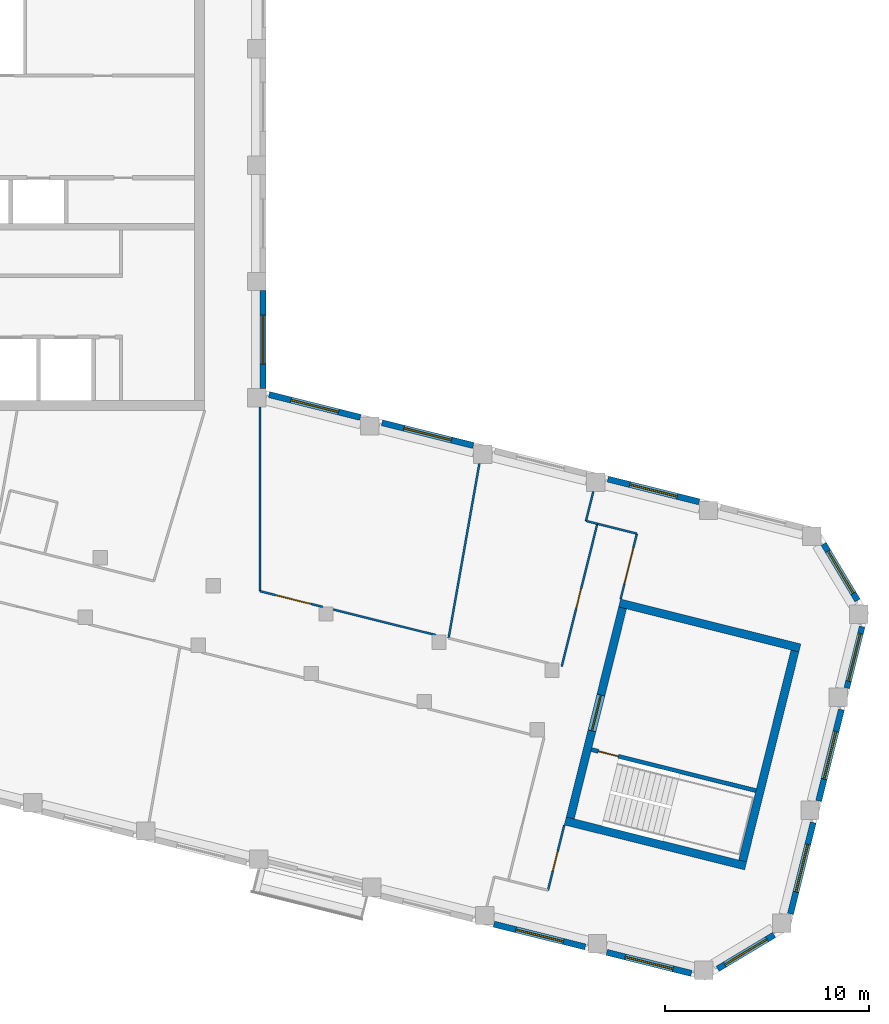
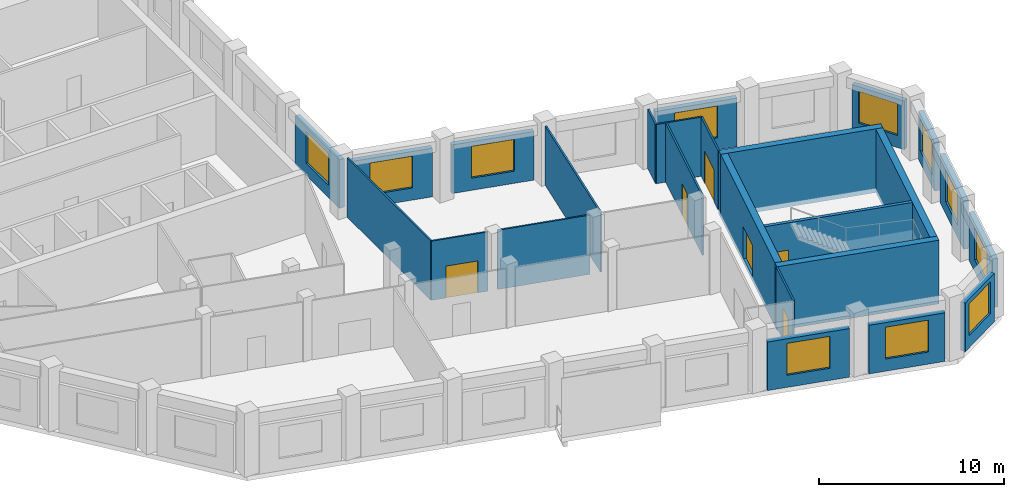
# One storey, part 4 of 8: 26 walls, 11 windows, 6 doors, 17 openings.
"""IFC4 building model written with IfcOpenShell, lengths in metres."""

import ifcopenshell
import ifcopenshell.guid

model = None  # the IFC model being written
_history = None  # IfcOwnerHistory: only IFC2X3 demands one
_inside = {}  # id of a spatial element -> (the spatial element, [elements in it])
_under = {}  # id of a project, library or spatial element -> (it, [spatial elements below it])
_declared = {}  # id of a project -> (the project, [libraries it declares])
_typed = {}  # id of a type object -> (the type object, [elements of that type])
_made_of = {}  # id of a material, layer set ... -> (it, [elements and type objects made of it])


def new_model(schema):
    """Start an empty IFC model of exactly this schema.

    Asked for "IFC4X3", IfcOpenShell would pick the latest addendum, in which some entities
    have other attributes; the version numbers below select the first issue.
    IFC2X3 requires an IfcOwnerHistory on every rooted entity: one is made here for all.
    """
    global model, _history
    if schema == "IFC4X3":
        model = ifcopenshell.file(schema_version=(4, 3, 0, 0))
    else:
        model = ifcopenshell.file(schema=schema)
    _inside.clear()
    _under.clear()
    _declared.clear()
    _typed.clear()
    _made_of.clear()
    _history = None
    if model.schema == "IFC2X3":
        org = make("IfcOrganization", Name="unknown")
        user = make(
            "IfcPersonAndOrganization",
            ThePerson=make("IfcPerson", FamilyName="unknown"),
            TheOrganization=org,
        )
        app = make(
            "IfcApplication",
            ApplicationDeveloper=org,
            Version="unknown",
            ApplicationFullName="unknown",
            ApplicationIdentifier="unknown",
        )
        _history = make(
            "IfcOwnerHistory",
            OwningUser=user,
            OwningApplication=app,
            ChangeAction="ADDED",
            CreationDate=0,
        )
    return model


def make(cls, **values):
    """One entity of the class cls with the attributes given. An attribute that is None is left unset."""
    return model.create_entity(
        cls, **{name: value for name, value in values.items() if value is not None}
    )


def rooted(cls, **values):
    """An entity with a GlobalId (a new one), such as an element, a storey or a relation."""
    return make(cls, GlobalId=ifcopenshell.guid.new(), OwnerHistory=_history, **values)


def si_unit(unit_type, name, prefix=None):
    """IfcSIUnit, for example si_unit("LENGTHUNIT", "METRE", prefix="MILLI")."""
    return make("IfcSIUnit", UnitType=unit_type, Prefix=prefix, Name=name)


def assignment(units):
    """IfcUnitAssignment: the units of a project."""
    return None if units is None else make("IfcUnitAssignment", Units=units)


def point(xyz):
    """IfcCartesianPoint."""
    return None if xyz is None else make("IfcCartesianPoint", Coordinates=xyz)


def direction(xyz):
    """IfcDirection."""
    return None if xyz is None else make("IfcDirection", DirectionRatios=xyz)


def frame(location, z_axis=None, x_axis=None):
    """IfcAxis2Placement3D, a coordinate frame: its origin and axes. An axis left out is left unset."""
    return make(
        "IfcAxis2Placement3D",
        Location=point(location),
        Axis=direction(z_axis),
        RefDirection=direction(x_axis),
    )


def frame_2d(location, x_axis=None):
    """IfcAxis2Placement2D, a coordinate frame in the plane: its origin and x axis."""
    return make(
        "IfcAxis2Placement2D", Location=point(location), RefDirection=direction(x_axis)
    )


def origin():
    """The frame at (0, 0, 0) with its axes left unset."""
    return frame((0.0, 0.0, 0.0))


def place(relative_to, where):
    """IfcLocalPlacement: puts the frame where relative to a parent placement (None: the world)."""
    return make(
        "IfcLocalPlacement", PlacementRelTo=relative_to, RelativePlacement=where
    )


def context(
    kind, dimensions, precision=None, world=None, true_north=None, identifier=None
):
    """IfcGeometricRepresentationContext, for example the 3D "Model" context."""
    return make(
        "IfcGeometricRepresentationContext",
        ContextIdentifier=identifier,
        ContextType=kind,
        CoordinateSpaceDimension=dimensions,
        Precision=precision,
        WorldCoordinateSystem=world,
        TrueNorth=true_north,
    )


def subcontext(parent, identifier, kind, view, scale=None):
    """IfcGeometricRepresentationSubContext, for example "Body" below "Model"."""
    return make(
        "IfcGeometricRepresentationSubContext",
        ContextIdentifier=identifier,
        ContextType=kind,
        ParentContext=parent,
        TargetScale=scale,
        TargetView=view,
    )


def project(units=None, contexts=None):
    """IfcProject with its units and contexts."""
    return rooted(
        "IfcProject",
        Name="project",
        RepresentationContexts=contexts,
        UnitsInContext=assignment(units),
    )


def spatial(cls, under=None, at=None, **own):
    """A site, building, storey or space (cls), placed at a placement, below another one or the project."""
    s = rooted(cls, ObjectPlacement=at, **own)
    if under is not None:
        _under.setdefault(under.id(), (under, []))[1].append(s)
    return s


def profile(cls, at=None, kind="AREA", **sizes):
    """A parametric profile (cls). Its sizes go by their IFC names, for example OverallWidth=200.0."""
    return make(cls, ProfileType=kind, Position=at, **sizes)


def rectangle(**sizes):
    """IfcRectangleProfileDef."""
    return profile("IfcRectangleProfileDef", **sizes)


def extrude(swept, where, along, depth):
    """IfcExtrudedAreaSolid: the profile swept, set in the frame where, extruded along a direction by depth."""
    return make(
        "IfcExtrudedAreaSolid",
        SweptArea=swept,
        Position=where,
        ExtrudedDirection=direction(along),
        Depth=depth,
    )


def shape(context_of_items, identifier, shape_type, items):
    """IfcShapeRepresentation: the items that make up one representation, for example the "Body"."""
    return make(
        "IfcShapeRepresentation",
        ContextOfItems=context_of_items,
        RepresentationIdentifier=identifier,
        RepresentationType=shape_type,
        Items=items,
    )


def material(Name=None, Category=None):
    """IfcMaterial."""
    return make("IfcMaterial", Name=Name, Category=Category)


def layer(
    of_material, thickness, ventilated=None, Name=None, Category=None, Priority=None
):
    """IfcMaterialLayer: one layer of a wall or slab, of a material (None: an air gap)."""
    return make(
        "IfcMaterialLayer",
        Material=of_material,
        LayerThickness=thickness,
        IsVentilated=ventilated,
        Name=Name,
        Category=Category,
        Priority=Priority,
    )


def layer_set(layers, Name=None):
    """IfcMaterialLayerSet."""
    return make("IfcMaterialLayerSet", MaterialLayers=layers, LayerSetName=Name)


def made_of(thing, what):
    """Note that an element or type object is made of a material, layer set ...; save() writes the relation."""
    if what is not None:
        _made_of.setdefault(what.id(), (what, []))[1].append(thing)
    return thing


def type_object(cls, material=None, **own):
    """A type object (cls), such as IfcWallType, which elements share."""
    return made_of(rooted(cls, **own), material)


def element(
    cls,
    number,
    at=None,
    inside=None,
    cuts=None,
    type_object=None,
    material=None,
    context=None,
    identifier="Body",
    shape_type=None,
    held_by="IfcProductDefinitionShape",
    body=None,
    shapes=None,
    **own,
):
    """One element of the class cls, such as IfcWall. Its Tag is "e" and its number.

    at: its placement. inside: the storey or other place that contains it. cuts: it is an
    opening in that element (IfcRelVoidsElement). A single representation is given by context,
    identifier, shape_type and body (its items); several are given by shapes. held_by: the class
    of the entity that holds the representations. save() writes the other relations.
    """
    e = rooted(cls, Tag="e%d" % number, ObjectPlacement=at, **own)
    if body is not None:
        shapes = [shape(context, identifier, shape_type, body)]
    if shapes is not None:
        e.Representation = make(held_by, Representations=shapes)
    if inside is not None:
        _inside.setdefault(inside.id(), (inside, []))[1].append(e)
    if cuts is not None:
        rooted(
            "IfcRelVoidsElement", RelatingBuildingElement=cuts, RelatedOpeningElement=e
        )
    if type_object is not None:
        _typed.setdefault(type_object.id(), (type_object, []))[1].append(e)
    return made_of(e, material)


def fill(opening, filler):
    """IfcRelFillsElement: the door or window that sits in an opening."""
    return rooted(
        "IfcRelFillsElement",
        RelatingOpeningElement=opening,
        RelatedBuildingElement=filler,
    )


def aggregate(whole, parts):
    """IfcRelAggregates: a whole, such as a stair, and the parts it consists of."""
    return rooted("IfcRelAggregates", RelatingObject=whole, RelatedObjects=parts)


def save(model, path):
    """Write the relations noted so far, then the file.

    IfcRelAggregates (storeys below a building ...), IfcRelContainedInSpatialStructure (elements
    in a storey), IfcRelDefinesByType, IfcRelAssociatesMaterial and IfcRelDeclares: one each for
    every whole, place, type object, material and project.
    """
    for whole, parts in _under.values():
        aggregate(whole, parts)
    for where, things in _inside.values():
        rooted(
            "IfcRelContainedInSpatialStructure",
            RelatedElements=things,
            RelatingStructure=where,
        )
    for kind, things in _typed.values():
        rooted("IfcRelDefinesByType", RelatedObjects=things, RelatingType=kind)
    for what, things in _made_of.values():
        rooted("IfcRelAssociatesMaterial", RelatedObjects=things, RelatingMaterial=what)
    for by, libraries in _declared.values():
        rooted("IfcRelDeclares", RelatingContext=by, RelatedDefinitions=libraries)
    model.write(path)


model = new_model("IFC4")

# Units and contexts
model_context = context("Model", 3, precision=1e-05, world=origin(), true_north=direction((0.0, 1.0)))
body_context = subcontext(model_context, "Body", "Model", "MODEL_VIEW")
ifc_project = project(units=[si_unit("LENGTHUNIT", "METRE"), si_unit("AREAUNIT", "SQUARE_METRE"), si_unit("VOLUMEUNIT", "CUBIC_METRE"), si_unit("PLANEANGLEUNIT", "RADIAN"), si_unit("MASSUNIT", "GRAM", prefix="KILO")], contexts=[model_context])

# Site, building, storey
site_placement = place(None, origin())
site = spatial("IfcSite", under=ifc_project, at=site_placement, CompositionType="ELEMENT")
building_placement = place(site_placement, origin())
building = spatial("IfcBuilding", under=site, at=building_placement, Name="Meshkara Civic Tower", CompositionType="ELEMENT")
storey_placement = place(building_placement, frame((0.0, 0.0, 379.199951171875)))
storey = spatial("IfcBuildingStorey", under=building, at=storey_placement, Name="L87", CompositionType="ELEMENT", Elevation=379.199951171875)

# Wall
ifc_material_1 = material(Name="Corridor wall 100")
ifc_layer_1 = layer(ifc_material_1, 0.10009765625)
ifc_layer_set_1 = layer_set([ifc_layer_1], Name="Corridor wall 100")
wall_type_1 = type_object("IfcWallType", Name="Corridor wall 100", PredefinedType="PARTITIONING", material=ifc_layer_set_1)
wall_1_placement = place(storey_placement, frame((33.5, 5.2509765625, 0.0), z_axis=(0.0, 0.0, 1.0), x_axis=(0.0, 1.0, 0.0)))
element("IfcWall", 1, at=wall_1_placement, inside=storey, type_object=wall_type_1, Name="L87-W024", PredefinedType="PARTITIONING", context=body_context, shape_type="SweptSolid", body=[
    extrude(rectangle(XDim=9.01806640625, YDim=0.10009765625, at=frame_2d((4.509033203125, 0.0))), origin(), (0.0, 0.0, 1.0), 3.900146484375),
])

# Wall, opening, door
wall_2_placement = place(storey_placement, frame((36.575927734375, 4.48388671875, 0.0), z_axis=(0.0, 0.0, 1.0), x_axis=(-0.970282772403, 0.24197384482, 0.0)))
wall_2 = element("IfcWall", 2, at=wall_2_placement, inside=storey, type_object=wall_type_1, Name="L87-W026", PredefinedType="PARTITIONING", context=body_context, shape_type="SweptSolid", body=[
    extrude(rectangle(XDim=3.170166015625, YDim=0.10009765625, at=frame_2d((1.5849609375, 0.0))), origin(), (0.0, 0.0, 1.0), 3.900146484375),
])
opening_1_placement = place(wall_2_placement, frame((0.580078125, 0.0, 0.0)))
opening_1 = element("IfcOpeningElement", 3, at=opening_1_placement, cuts=wall_2, Name="Opening L87-D006", PredefinedType="OPENING", context=body_context, shape_type="SweptSolid", body=[
    extrude(rectangle(XDim=1.800048828125, YDim=2.10009765625, at=frame_2d((0.89990234375, 1.050048828125))), frame((0.0, 0.06005859375, 0.0), z_axis=(0.0, -1.0, 0.0), x_axis=(1.0, 0.0, 0.0)), (0.0, 0.0, 1.0), 0.1201171875),
])
ifc_material_2 = material(Name="Door pair 1800 x 2100")
door_type_1 = type_object("IfcDoorType", Name="Door pair 1800 x 2100", OperationType="SINGLE_SWING_LEFT", PredefinedType="DOOR", material=ifc_material_2)
door_1_placement = place(opening_1_placement, origin())
door_1 = element("IfcDoor", 4, at=door_1_placement, inside=storey, type_object=door_type_1, Name="L87-D006", OperationType="DOUBLE_DOOR_SINGLE_SWING", OverallHeight=2.10009765625, OverallWidth=1.800048828125, PredefinedType="DOOR", context=body_context, shape_type="SweptSolid", body=[
    extrude(rectangle(XDim=1.800048828125, YDim=2.10009765625, at=frame_2d((0.89990234375, 1.050048828125))), frame((0.0, 0.02490234375, 0.0), z_axis=(0.0, -1.0, 0.0), x_axis=(1.0, 0.0, 0.0)), (0.0, 0.0, 1.0), 0.050048828125),
])
fill(opening_1, door_1)

# Wall
wall_3_placement = place(storey_placement, frame((42.10693359375, 3.10498046875, 0.0), z_axis=(0.0, 0.0, 1.0), x_axis=(-0.97031176359, 0.241857564363, 0.0)))
element("IfcWall", 5, at=wall_3_placement, inside=storey, type_object=wall_type_1, Name="L87-W028", PredefinedType="PARTITIONING", context=body_context, shape_type="SweptSolid", body=[
    extrude(rectangle(XDim=5.168212890625, YDim=0.10009765625, at=frame_2d((2.583984375, 0.0))), origin(), (0.0, 0.0, 1.0), 3.900146484375),
])

# Wall, opening, door
wall_4_placement = place(storey_placement, frame((47.611083984375, -9.39697265625, 0.0), z_axis=(0.0, 0.0, 1.0), x_axis=(0.241786986316, 0.970329352977, 0.0)))
wall_4 = element("IfcWall", 6, at=wall_4_placement, inside=storey, type_object=wall_type_1, Name="L87-W031", PredefinedType="PARTITIONING", context=body_context, shape_type="SweptSolid", body=[
    extrude(rectangle(XDim=3.2998046875, YDim=0.10009765625, at=frame_2d((1.64990234375, 0.0))), origin(), (0.0, 0.0, 1.0), 3.900146484375),
])
opening_2_placement = place(wall_4_placement, frame((0.97998046875, 0.0, 0.0)))
opening_2 = element("IfcOpeningElement", 7, at=opening_2_placement, cuts=wall_4, Name="Opening L87-D001", PredefinedType="OPENING", context=body_context, shape_type="SweptSolid", body=[
    extrude(rectangle(XDim=1.0, YDim=2.10009765625, at=frame_2d((0.5, 1.050048828125))), frame((0.0, 0.06005859375, 0.0), z_axis=(0.0, -1.0, 0.0), x_axis=(1.0, 0.0, 0.0)), (0.0, 0.0, 1.0), 0.1201171875),
])
ifc_material_3 = material(Name="Door 1000 x 2100")
door_type_2 = type_object("IfcDoorType", Name="Door 1000 x 2100", OperationType="SINGLE_SWING_LEFT", PredefinedType="DOOR", material=ifc_material_3)
door_2_placement = place(opening_2_placement, origin())
door_2 = element("IfcDoor", 8, at=door_2_placement, inside=storey, type_object=door_type_2, Name="L87-D001", OperationType="SINGLE_SWING_RIGHT", OverallHeight=2.10009765625, OverallWidth=1.0, PredefinedType="DOOR", context=body_context, shape_type="SweptSolid", body=[
    extrude(rectangle(XDim=1.0, YDim=2.10009765625, at=frame_2d((0.5, 1.050048828125))), frame((0.0, 0.02490234375, 0.0), z_axis=(0.0, -1.0, 0.0), x_axis=(1.0, 0.0, 0.0)), (0.0, 0.0, 1.0), 0.050048828125),
])
fill(opening_2, door_2)

wall_5_placement = place(storey_placement, frame((50.02490234375, 8.552001953125, 0.0), z_axis=(0.0, 0.0, 1.0), x_axis=(-0.241937193493, -0.970291911955, 0.0)))
wall_5 = element("IfcWall", 9, at=wall_5_placement, inside=storey, type_object=wall_type_1, Name="L87-W033", PredefinedType="PARTITIONING", context=body_context, shape_type="SweptSolid", body=[
    extrude(rectangle(XDim=7.199951171875, YDim=0.10009765625, at=frame_2d((3.60009765625, 0.0))), origin(), (0.0, 0.0, 1.0), 3.900146484375),
])
opening_3_placement = place(wall_5_placement, frame((3.280029296875, 0.0, 0.0)))
opening_3 = element("IfcOpeningElement", 10, at=opening_3_placement, cuts=wall_5, Name="Opening L87-D007", PredefinedType="OPENING", context=body_context, shape_type="SweptSolid", body=[
    extrude(rectangle(XDim=1.0, YDim=2.10009765625, at=frame_2d((0.5, 1.050048828125))), frame((0.0, 0.06005859375, 0.0), z_axis=(0.0, -1.0, 0.0), x_axis=(1.0, 0.0, 0.0)), (0.0, 0.0, 1.0), 0.1201171875),
])
door_3_placement = place(opening_3_placement, origin())
door_3 = element("IfcDoor", 11, at=door_3_placement, inside=storey, type_object=door_type_2, Name="L87-D007", OperationType="SINGLE_SWING_LEFT", OverallHeight=2.10009765625, OverallWidth=1.0, PredefinedType="DOOR", context=body_context, shape_type="SweptSolid", body=[
    extrude(rectangle(XDim=1.0, YDim=2.10009765625, at=frame_2d((0.5, 1.050048828125))), frame((0.0, 0.02490234375, 0.0), z_axis=(0.0, -1.0, 0.0), x_axis=(1.0, 0.0, 0.0)), (0.0, 0.0, 1.0), 0.050048828125),
])
fill(opening_3, door_3)

wall_6_placement = place(storey_placement, frame((51.1669921875, 4.865966796875, 0.0), z_axis=(0.0, 0.0, 1.0), x_axis=(0.241839284064, 0.97031631991, 0.0)))
wall_6 = element("IfcWall", 12, at=wall_6_placement, inside=storey, type_object=wall_type_1, Name="L87-W034", PredefinedType="PARTITIONING", context=body_context, shape_type="SweptSolid", body=[
    extrude(rectangle(XDim=3.300048828125, YDim=0.10009765625, at=frame_2d((1.64990234375, 0.0))), origin(), (0.0, 0.0, 1.0), 3.900146484375),
])
opening_4_placement = place(wall_6_placement, frame((0.780029296875, 0.0, 0.0)))
opening_4 = element("IfcOpeningElement", 13, at=opening_4_placement, cuts=wall_6, Name="Opening L87-D011", PredefinedType="OPENING", context=body_context, shape_type="SweptSolid", body=[
    extrude(rectangle(XDim=1.800048828125, YDim=2.10009765625, at=frame_2d((0.89990234375, 1.050048828125))), frame((0.0, 0.06005859375, 0.0), z_axis=(0.0, -1.0, 0.0), x_axis=(1.0, 0.0, 0.0)), (0.0, 0.0, 1.0), 0.1201171875),
])
door_4_placement = place(opening_4_placement, origin())
door_4 = element("IfcDoor", 14, at=door_4_placement, inside=storey, type_object=door_type_1, Name="L87-D011", OperationType="DOUBLE_DOOR_SINGLE_SWING", OverallHeight=2.10009765625, OverallWidth=1.800048828125, PredefinedType="DOOR", context=body_context, shape_type="SweptSolid", body=[
    extrude(rectangle(XDim=1.800048828125, YDim=2.10009765625, at=frame_2d((0.89990234375, 1.050048828125))), frame((0.0, 0.02490234375, 0.0), z_axis=(0.0, -1.0, 0.0), x_axis=(1.0, 0.0, 0.0)), (0.0, 0.0, 1.0), 0.050048828125),
])
fill(opening_4, door_4)

# Wall
wall_7_placement = place(storey_placement, frame((51.965087890625, 8.068115234375, 0.0), z_axis=(0.0, 0.0, 1.0), x_axis=(-0.970278804284, 0.241989755894, 0.0)))
element("IfcWall", 15, at=wall_7_placement, inside=storey, type_object=wall_type_1, Name="L87-W035", PredefinedType="PARTITIONING", context=body_context, shape_type="SweptSolid", body=[
    extrude(rectangle(XDim=1.99951171875, YDim=0.10009765625, at=frame_2d((0.999755859375, 0.0))), origin(), (0.0, 0.0, 1.0), 3.900146484375),
])

# Wall, opening, window
ifc_material_4 = material(Name="Insulated infill panel with bronze anodised aluminium cladding", Category="aluminium")
ifc_layer_2 = layer(ifc_material_4, 0.300048828125)
ifc_layer_set_2 = layer_set([ifc_layer_2], Name="EXTERNAL INFILL WALL 300")
wall_type_2 = type_object("IfcWallType", Name="EXTERNAL INFILL WALL 300", PredefinedType="SOLIDWALL", material=ifc_layer_set_2)
wall_8_placement = place(storey_placement, frame((55.01611328125, 9.6259765625, 0.0), z_axis=(0.0, 0.0, 1.0), x_axis=(-0.970298093093, 0.241912402618, 0.0)))
wall_8 = element("IfcWall", 16, at=wall_8_placement, inside=storey, type_object=wall_type_2, Name="External wall", PredefinedType="SOLIDWALL", context=body_context, shape_type="SweptSolid", body=[
    extrude(rectangle(XDim=4.609130859375, YDim=0.300048828125, at=frame_2d((2.3046875, 0.0))), origin(), (0.0, 0.0, 1.0), 3.199951171875),
])
opening_5_placement = place(wall_8_placement, frame((1.10498046875, 0.0, 0.800048828125)))
opening_5 = element("IfcOpeningElement", 17, at=opening_5_placement, cuts=wall_8, Name="Opening W7", PredefinedType="OPENING", context=body_context, shape_type="SweptSolid", body=[
    extrude(rectangle(XDim=2.39990234375, YDim=2.10009765625, at=frame_2d((1.199951171875, 1.050048828125))), frame((0.0, 0.159912109375, 0.0), z_axis=(0.0, -1.0, 0.0), x_axis=(1.0, 0.0, 0.0)), (0.0, 0.0, 1.0), 0.320068359375),
])
ifc_material_5 = material(Name="Tinted double glazing", Category="glass")
window_type = type_object("IfcWindowType", Name="WINDOW 2400x2100", PartitioningType="DOUBLE_PANEL_VERTICAL", PredefinedType="WINDOW", material=ifc_material_5)
window_1_placement = place(opening_5_placement, origin())
window_1 = element("IfcWindow", 18, at=window_1_placement, inside=storey, type_object=window_type, Name="Window", OverallHeight=2.10009765625, OverallWidth=2.39990234375, PartitioningType="DOUBLE_PANEL_VERTICAL", PredefinedType="WINDOW", context=body_context, shape_type="SweptSolid", body=[
    extrude(rectangle(XDim=2.39990234375, YDim=2.10009765625, at=frame_2d((1.199951171875, 1.050048828125))), frame((0.0, 0.030029296875, 0.0), z_axis=(0.0, -1.0, 0.0), x_axis=(1.0, 0.0, 0.0)), (0.0, 0.0, 1.0), 0.06005859375),
])
fill(opening_5, window_1)

wall_9_placement = place(storey_placement, frame((43.9541015625, 12.384033203125, 0.0), z_axis=(0.0, 0.0, 1.0), x_axis=(-0.970285689791, 0.241962146187, 0.0)))
wall_9 = element("IfcWall", 19, at=wall_9_placement, inside=storey, type_object=wall_type_2, Name="External wall", PredefinedType="SOLIDWALL", context=body_context, shape_type="SweptSolid", body=[
    extrude(rectangle(XDim=4.608154296875, YDim=0.300048828125, at=frame_2d((2.30419921875, 0.0))), origin(), (0.0, 0.0, 1.0), 3.199951171875),
])
opening_6_placement = place(wall_9_placement, frame((1.10400390625, 0.0, 0.800048828125)))
opening_6 = element("IfcOpeningElement", 20, at=opening_6_placement, cuts=wall_9, Name="Opening W7", PredefinedType="OPENING", context=body_context, shape_type="SweptSolid", body=[
    extrude(rectangle(XDim=2.39990234375, YDim=2.10009765625, at=frame_2d((1.199951171875, 1.050048828125))), frame((0.0, 0.159912109375, 0.0), z_axis=(0.0, -1.0, 0.0), x_axis=(1.0, 0.0, 0.0)), (0.0, 0.0, 1.0), 0.320068359375),
])
window_2_placement = place(opening_6_placement, origin())
window_2 = element("IfcWindow", 21, at=window_2_placement, inside=storey, type_object=window_type, Name="Window", OverallHeight=2.10009765625, OverallWidth=2.39990234375, PartitioningType="DOUBLE_PANEL_VERTICAL", PredefinedType="WINDOW", context=body_context, shape_type="SweptSolid", body=[
    extrude(rectangle(XDim=2.39990234375, YDim=2.10009765625, at=frame_2d((1.199951171875, 1.050048828125))), frame((0.0, 0.030029296875, 0.0), z_axis=(0.0, -1.0, 0.0), x_axis=(1.0, 0.0, 0.0)), (0.0, 0.0, 1.0), 0.06005859375),
])
fill(opening_6, window_2)

wall_10_placement = place(storey_placement, frame((38.424072265625, 13.762939453125, 0.0), z_axis=(0.0, 0.0, 1.0), x_axis=(-0.970248341479, 0.24211186641, 0.0)))
wall_10 = element("IfcWall", 22, at=wall_10_placement, inside=storey, type_object=wall_type_2, Name="External wall", PredefinedType="SOLIDWALL", context=body_context, shape_type="SweptSolid", body=[
    extrude(rectangle(XDim=4.609375, YDim=0.300048828125, at=frame_2d((2.3046875, 0.0))), origin(), (0.0, 0.0, 1.0), 3.199951171875),
])
opening_7_placement = place(wall_10_placement, frame((1.10498046875, 0.0, 0.800048828125)))
opening_7 = element("IfcOpeningElement", 23, at=opening_7_placement, cuts=wall_10, Name="Opening W7", PredefinedType="OPENING", context=body_context, shape_type="SweptSolid", body=[
    extrude(rectangle(XDim=2.39990234375, YDim=2.10009765625, at=frame_2d((1.199951171875, 1.050048828125))), frame((0.0, 0.159912109375, 0.0), z_axis=(0.0, -1.0, 0.0), x_axis=(1.0, 0.0, 0.0)), (0.0, 0.0, 1.0), 0.320068359375),
])
window_3_placement = place(opening_7_placement, origin())
window_3 = element("IfcWindow", 24, at=window_3_placement, inside=storey, type_object=window_type, Name="Window", OverallHeight=2.10009765625, OverallWidth=2.39990234375, PartitioningType="DOUBLE_PANEL_VERTICAL", PredefinedType="WINDOW", context=body_context, shape_type="SweptSolid", body=[
    extrude(rectangle(XDim=2.39990234375, YDim=2.10009765625, at=frame_2d((1.199951171875, 1.050048828125))), frame((0.0, 0.030029296875, 0.0), z_axis=(0.0, -1.0, 0.0), x_axis=(1.0, 0.0, 0.0)), (0.0, 0.0, 1.0), 0.06005859375),
])
fill(opening_7, window_3)

wall_11_placement = place(storey_placement, frame((33.64990234375, 15.1689453125, 0.0), z_axis=(0.0, 0.0, 1.0), x_axis=(0.0, 1.0, 0.0)))
wall_11 = element("IfcWall", 25, at=wall_11_placement, inside=storey, type_object=wall_type_2, Name="External wall", PredefinedType="SOLIDWALL", context=body_context, shape_type="SweptSolid", body=[
    extrude(rectangle(XDim=4.800048828125, YDim=0.300048828125, at=frame_2d((2.39990234375, 0.0))), origin(), (0.0, 0.0, 1.0), 3.199951171875),
])
opening_8_placement = place(wall_11_placement, frame((1.199951171875, 0.0, 0.800048828125)))
opening_8 = element("IfcOpeningElement", 26, at=opening_8_placement, cuts=wall_11, Name="Opening W7", PredefinedType="OPENING", context=body_context, shape_type="SweptSolid", body=[
    extrude(rectangle(XDim=2.39990234375, YDim=2.10009765625, at=frame_2d((1.199951171875, 1.050048828125))), frame((0.0, 0.159912109375, 0.0), z_axis=(0.0, -1.0, 0.0), x_axis=(1.0, 0.0, 0.0)), (0.0, 0.0, 1.0), 0.320068359375),
])
window_4_placement = place(opening_8_placement, origin())
window_4 = element("IfcWindow", 27, at=window_4_placement, inside=storey, type_object=window_type, Name="Window", OverallHeight=2.10009765625, OverallWidth=2.39990234375, PartitioningType="DOUBLE_PANEL_VERTICAL", PredefinedType="WINDOW", context=body_context, shape_type="SweptSolid", body=[
    extrude(rectangle(XDim=2.39990234375, YDim=2.10009765625, at=frame_2d((1.199951171875, 1.050048828125))), frame((0.0, 0.030029296875, 0.0), z_axis=(0.0, -1.0, 0.0), x_axis=(1.0, 0.0, 0.0)), (0.0, 0.0, 1.0), 0.06005859375),
])
fill(opening_8, window_4)

wall_12_placement = place(storey_placement, frame((44.9609375, -11.055908203125, 0.0), z_axis=(0.0, 0.0, 1.0), x_axis=(0.970298093093, -0.241912402618, 0.0)))
wall_12 = element("IfcWall", 28, at=wall_12_placement, inside=storey, type_object=wall_type_2, Name="External wall", PredefinedType="SOLIDWALL", context=body_context, shape_type="SweptSolid", body=[
    extrude(rectangle(XDim=4.609130859375, YDim=0.300048828125, at=frame_2d((2.3046875, 0.0))), origin(), (0.0, 0.0, 1.0), 3.199951171875),
])
opening_9_placement = place(wall_12_placement, frame((1.10498046875, 0.0, 0.800048828125)))
opening_9 = element("IfcOpeningElement", 29, at=opening_9_placement, cuts=wall_12, Name="Opening W7", PredefinedType="OPENING", context=body_context, shape_type="SweptSolid", body=[
    extrude(rectangle(XDim=2.39990234375, YDim=2.10009765625, at=frame_2d((1.199951171875, 1.050048828125))), frame((0.0, 0.159912109375, 0.0), z_axis=(0.0, -1.0, 0.0), x_axis=(1.0, 0.0, 0.0)), (0.0, 0.0, 1.0), 0.320068359375),
])
window_5_placement = place(opening_9_placement, origin())
window_5 = element("IfcWindow", 30, at=window_5_placement, inside=storey, type_object=window_type, Name="Window", OverallHeight=2.10009765625, OverallWidth=2.39990234375, PartitioningType="DOUBLE_PANEL_VERTICAL", PredefinedType="WINDOW", context=body_context, shape_type="SweptSolid", body=[
    extrude(rectangle(XDim=2.39990234375, YDim=2.10009765625, at=frame_2d((1.199951171875, 1.050048828125))), frame((0.0, 0.030029296875, 0.0), z_axis=(0.0, -1.0, 0.0), x_axis=(1.0, 0.0, 0.0)), (0.0, 0.0, 1.0), 0.06005859375),
])
fill(opening_9, window_5)

wall_13_placement = place(storey_placement, frame((50.491943359375, -12.43505859375, 0.0), z_axis=(0.0, 0.0, 1.0), x_axis=(0.970323940244, -0.241808707429, 0.0)))
wall_13 = element("IfcWall", 31, at=wall_13_placement, inside=storey, type_object=wall_type_2, Name="External wall", PredefinedType="SOLIDWALL", context=body_context, shape_type="SweptSolid", body=[
    extrude(rectangle(XDim=4.267822265625, YDim=0.300048828125, at=frame_2d((2.1337890625, 0.0))), origin(), (0.0, 0.0, 1.0), 3.199951171875),
])
opening_10_placement = place(wall_13_placement, frame((0.93408203125, 0.0, 0.800048828125)))
opening_10 = element("IfcOpeningElement", 32, at=opening_10_placement, cuts=wall_13, Name="Opening W7", PredefinedType="OPENING", context=body_context, shape_type="SweptSolid", body=[
    extrude(rectangle(XDim=2.39990234375, YDim=2.10009765625, at=frame_2d((1.199951171875, 1.050048828125))), frame((0.0, 0.159912109375, 0.0), z_axis=(0.0, -1.0, 0.0), x_axis=(1.0, 0.0, 0.0)), (0.0, 0.0, 1.0), 0.320068359375),
])
window_6_placement = place(opening_10_placement, origin())
window_6 = element("IfcWindow", 33, at=window_6_placement, inside=storey, type_object=window_type, Name="Window", OverallHeight=2.10009765625, OverallWidth=2.39990234375, PartitioningType="DOUBLE_PANEL_VERTICAL", PredefinedType="WINDOW", context=body_context, shape_type="SweptSolid", body=[
    extrude(rectangle(XDim=2.39990234375, YDim=2.10009765625, at=frame_2d((1.199951171875, 1.050048828125))), frame((0.0, 0.030029296875, 0.0), z_axis=(0.0, -1.0, 0.0), x_axis=(1.0, 0.0, 0.0)), (0.0, 0.0, 1.0), 0.06005859375),
])
fill(opening_10, window_6)

wall_14_placement = place(storey_placement, frame((55.9189453125, -13.2470703125, 0.0), z_axis=(0.0, 0.0, 1.0), x_axis=(0.857239224167, 0.514918355226, 0.0)))
wall_14 = element("IfcWall", 34, at=wall_14_placement, inside=storey, type_object=wall_type_2, Name="External wall", PredefinedType="SOLIDWALL", context=body_context, shape_type="SweptSolid", body=[
    extrude(rectangle(XDim=3.22802734375, YDim=0.300048828125, at=frame_2d((1.614013671875, 0.0))), origin(), (0.0, 0.0, 1.0), 3.199951171875),
])
opening_11_placement = place(wall_14_placement, frame((0.4140625, 0.0, 0.800048828125)))
opening_11 = element("IfcOpeningElement", 35, at=opening_11_placement, cuts=wall_14, Name="Opening W7", PredefinedType="OPENING", context=body_context, shape_type="SweptSolid", body=[
    extrude(rectangle(XDim=2.39990234375, YDim=2.10009765625, at=frame_2d((1.199951171875, 1.050048828125))), frame((0.0, 0.159912109375, 0.0), z_axis=(0.0, -1.0, 0.0), x_axis=(1.0, 0.0, 0.0)), (0.0, 0.0, 1.0), 0.320068359375),
])
window_7_placement = place(opening_11_placement, origin())
window_7 = element("IfcWindow", 36, at=window_7_placement, inside=storey, type_object=window_type, Name="Window", OverallHeight=2.10009765625, OverallWidth=2.39990234375, PartitioningType="DOUBLE_PANEL_VERTICAL", PredefinedType="WINDOW", context=body_context, shape_type="SweptSolid", body=[
    extrude(rectangle(XDim=2.39990234375, YDim=2.10009765625, at=frame_2d((1.199951171875, 1.050048828125))), frame((0.0, 0.030029296875, 0.0), z_axis=(0.0, -1.0, 0.0), x_axis=(1.0, 0.0, 0.0)), (0.0, 0.0, 1.0), 0.06005859375),
])
fill(opening_11, window_7)

wall_15_placement = place(storey_placement, frame((59.485107421875, -10.552001953125, 0.0), z_axis=(0.0, 0.0, 1.0), x_axis=(0.241924836652, 0.970294992984, 0.0)))
wall_15 = element("IfcWall", 37, at=wall_15_placement, inside=storey, type_object=wall_type_2, Name="External wall", PredefinedType="SOLIDWALL", context=body_context, shape_type="SweptSolid", body=[
    extrude(rectangle(XDim=4.60888671875, YDim=0.300048828125, at=frame_2d((2.304443359375, 0.0))), origin(), (0.0, 0.0, 1.0), 3.199951171875),
])
opening_12_placement = place(wall_15_placement, frame((1.10498046875, 0.0, 0.800048828125)))
opening_12 = element("IfcOpeningElement", 38, at=opening_12_placement, cuts=wall_15, Name="Opening W7", PredefinedType="OPENING", context=body_context, shape_type="SweptSolid", body=[
    extrude(rectangle(XDim=2.39990234375, YDim=2.10009765625, at=frame_2d((1.199951171875, 1.050048828125))), frame((0.0, 0.159912109375, 0.0), z_axis=(0.0, -1.0, 0.0), x_axis=(1.0, 0.0, 0.0)), (0.0, 0.0, 1.0), 0.320068359375),
])
window_8_placement = place(opening_12_placement, origin())
window_8 = element("IfcWindow", 39, at=window_8_placement, inside=storey, type_object=window_type, Name="Window", OverallHeight=2.10009765625, OverallWidth=2.39990234375, PartitioningType="DOUBLE_PANEL_VERTICAL", PredefinedType="WINDOW", context=body_context, shape_type="SweptSolid", body=[
    extrude(rectangle(XDim=2.39990234375, YDim=2.10009765625, at=frame_2d((1.199951171875, 1.050048828125))), frame((0.0, 0.030029296875, 0.0), z_axis=(0.0, -1.0, 0.0), x_axis=(1.0, 0.0, 0.0)), (0.0, 0.0, 1.0), 0.06005859375),
])
fill(opening_12, window_8)

wall_16_placement = place(storey_placement, frame((60.864013671875, -5.02099609375, 0.0), z_axis=(0.0, 0.0, 1.0), x_axis=(0.241775045801, 0.97033232824, 0.0)))
wall_16 = element("IfcWall", 40, at=wall_16_placement, inside=storey, type_object=wall_type_2, Name="External wall", PredefinedType="SOLIDWALL", context=body_context, shape_type="SweptSolid", body=[
    extrude(rectangle(XDim=4.607666015625, YDim=0.300048828125, at=frame_2d((2.3037109375, 0.0))), origin(), (0.0, 0.0, 1.0), 3.199951171875),
])
opening_13_placement = place(wall_16_placement, frame((1.10400390625, 0.0, 0.800048828125)))
opening_13 = element("IfcOpeningElement", 41, at=opening_13_placement, cuts=wall_16, Name="Opening W7", PredefinedType="OPENING", context=body_context, shape_type="SweptSolid", body=[
    extrude(rectangle(XDim=2.39990234375, YDim=2.10009765625, at=frame_2d((1.199951171875, 1.050048828125))), frame((0.0, 0.159912109375, 0.0), z_axis=(0.0, -1.0, 0.0), x_axis=(1.0, 0.0, 0.0)), (0.0, 0.0, 1.0), 0.320068359375),
])
window_9_placement = place(opening_13_placement, origin())
window_9 = element("IfcWindow", 42, at=window_9_placement, inside=storey, type_object=window_type, Name="Window", OverallHeight=2.10009765625, OverallWidth=2.39990234375, PartitioningType="DOUBLE_PANEL_VERTICAL", PredefinedType="WINDOW", context=body_context, shape_type="SweptSolid", body=[
    extrude(rectangle(XDim=2.39990234375, YDim=2.10009765625, at=frame_2d((1.199951171875, 1.050048828125))), frame((0.0, 0.030029296875, 0.0), z_axis=(0.0, -1.0, 0.0), x_axis=(1.0, 0.0, 0.0)), (0.0, 0.0, 1.0), 0.06005859375),
])
fill(opening_13, window_9)

wall_17_placement = place(storey_placement, frame((62.241943359375, 0.509033203125, 0.0), z_axis=(0.0, 0.0, 1.0), x_axis=(0.241941811838, 0.970290760383, 0.0)))
wall_17 = element("IfcWall", 43, at=wall_17_placement, inside=storey, type_object=wall_type_2, Name="External wall", PredefinedType="SOLIDWALL", context=body_context, shape_type="SweptSolid", body=[
    extrude(rectangle(XDim=3.095947265625, YDim=0.300048828125, at=frame_2d((1.5478515625, 0.0))), origin(), (0.0, 0.0, 1.0), 3.199951171875),
])
opening_14_placement = place(wall_17_placement, frame((0.347900390625, 0.0, 0.800048828125)))
opening_14 = element("IfcOpeningElement", 44, at=opening_14_placement, cuts=wall_17, Name="Opening W7", PredefinedType="OPENING", context=body_context, shape_type="SweptSolid", body=[
    extrude(rectangle(XDim=2.39990234375, YDim=2.10009765625, at=frame_2d((1.199951171875, 1.050048828125))), frame((0.0, 0.159912109375, 0.0), z_axis=(0.0, -1.0, 0.0), x_axis=(1.0, 0.0, 0.0)), (0.0, 0.0, 1.0), 0.320068359375),
])
window_10_placement = place(opening_14_placement, origin())
window_10 = element("IfcWindow", 45, at=window_10_placement, inside=storey, type_object=window_type, Name="Window", OverallHeight=2.10009765625, OverallWidth=2.39990234375, PartitioningType="DOUBLE_PANEL_VERTICAL", PredefinedType="WINDOW", context=body_context, shape_type="SweptSolid", body=[
    extrude(rectangle(XDim=2.39990234375, YDim=2.10009765625, at=frame_2d((1.199951171875, 1.050048828125))), frame((0.0, 0.030029296875, 0.0), z_axis=(0.0, -1.0, 0.0), x_axis=(1.0, 0.0, 0.0)), (0.0, 0.0, 1.0), 0.06005859375),
])
fill(opening_14, window_10)

wall_18_placement = place(storey_placement, frame((62.77099609375, 4.799072265625, 0.0), z_axis=(0.0, 0.0, 1.0), x_axis=(-0.514951742604, 0.857219168468, 0.0)))
wall_18 = element("IfcWall", 46, at=wall_18_placement, inside=storey, type_object=wall_type_2, Name="External wall", PredefinedType="SOLIDWALL", context=body_context, shape_type="SweptSolid", body=[
    extrude(rectangle(XDim=3.227783203125, YDim=0.300048828125, at=frame_2d((1.61376953125, 0.0))), origin(), (0.0, 0.0, 1.0), 3.199951171875),
])
opening_15_placement = place(wall_18_placement, frame((0.4140625, 0.0, 0.800048828125)))
opening_15 = element("IfcOpeningElement", 47, at=opening_15_placement, cuts=wall_18, Name="Opening W7", PredefinedType="OPENING", context=body_context, shape_type="SweptSolid", body=[
    extrude(rectangle(XDim=2.39990234375, YDim=2.10009765625, at=frame_2d((1.199951171875, 1.050048828125))), frame((0.0, 0.159912109375, 0.0), z_axis=(0.0, -1.0, 0.0), x_axis=(1.0, 0.0, 0.0)), (0.0, 0.0, 1.0), 0.320068359375),
])
window_11_placement = place(opening_15_placement, origin())
window_11 = element("IfcWindow", 48, at=window_11_placement, inside=storey, type_object=window_type, Name="Window", OverallHeight=2.10009765625, OverallWidth=2.39990234375, PartitioningType="DOUBLE_PANEL_VERTICAL", PredefinedType="WINDOW", context=body_context, shape_type="SweptSolid", body=[
    extrude(rectangle(XDim=2.39990234375, YDim=2.10009765625, at=frame_2d((1.199951171875, 1.050048828125))), frame((0.0, 0.030029296875, 0.0), z_axis=(0.0, -1.0, 0.0), x_axis=(1.0, 0.0, 0.0)), (0.0, 0.0, 1.0), 0.06005859375),
])
fill(opening_15, window_11)

# Walls
ifc_material_6 = material(Name="Concrete C50", Category="concrete")
ifc_layer_3 = layer(ifc_material_6, 0.39990234375)
ifc_layer_set_3 = layer_set([ifc_layer_3], Name="End core ring wall 400 C50")
wall_type_3 = type_object("IfcWallType", Name="End core ring wall 400 C50", PredefinedType="SHEAR", material=ifc_layer_set_3)
wall_19_placement = place(storey_placement, frame((48.4580078125, -6.0009765625, -0.300048828125), z_axis=(0.0, 0.0, 1.0), x_axis=(0.970281225948, -0.241980045814, 0.0)))
element("IfcWall", 49, at=wall_19_placement, inside=storey, type_object=wall_type_3, Name="L87-C031", PredefinedType="SHEAR", context=body_context, shape_type="SweptSolid", body=[
    extrude(rectangle(XDim=9.099609375, YDim=0.39990234375, at=frame_2d((4.5498046875, 0.0))), origin(), (0.0, 0.0, 1.0), 4.2001953125),
])
wall_20_placement = place(storey_placement, frame((51.118896484375, 4.672119140625, -0.300048828125), z_axis=(0.0, 0.0, 1.0), x_axis=(0.970300121521, -0.241904266553, 0.0)))
element("IfcWall", 50, at=wall_20_placement, inside=storey, type_object=wall_type_3, Name="L87-C032", PredefinedType="SHEAR", context=body_context, shape_type="SweptSolid", body=[
    extrude(rectangle(XDim=9.099365234375, YDim=0.39990234375, at=frame_2d((4.5498046875, 0.0))), origin(), (0.0, 0.0, 1.0), 4.2001953125),
])

# Wall, opening, door
wall_21_placement = place(storey_placement, frame((48.699951171875, -5.85595703125, -0.300048828125), z_axis=(0.0, 0.0, 1.0), x_axis=(0.241869030534, 0.970308905488, 0.0)))
wall_21 = element("IfcWall", 51, at=wall_21_placement, inside=storey, type_object=wall_type_3, Name="L87-C033", PredefinedType="SHEAR", context=body_context, shape_type="SweptSolid", body=[
    extrude(rectangle(XDim=10.6005859375, YDim=0.39990234375, at=frame_2d((5.30029296875, 0.0))), origin(), (0.0, 0.0, 1.0), 4.2001953125),
])
opening_16_placement = place(wall_21_placement, frame((4.39990234375, 0.0, 0.300048828125)))
opening_16 = element("IfcOpeningElement", 52, at=opening_16_placement, cuts=wall_21, Name="Opening L87-K202", PredefinedType="OPENING", context=body_context, shape_type="SweptSolid", body=[
    extrude(rectangle(XDim=1.800048828125, YDim=2.10009765625, at=frame_2d((0.89990234375, 1.050048828125))), frame((0.0, 0.2099609375, 0.0), z_axis=(0.0, -1.0, 0.0), x_axis=(1.0, 0.0, 0.0)), (0.0, 0.0, 1.0), 0.419921875),
])
ifc_material_7 = material(Name="Fire-rated door leaf in steel frame", Category="steel")
door_type_3 = type_object("IfcDoorType", Name="Core double door 1800 EI 60", OperationType="DOUBLE_DOOR_SINGLE_SWING", PredefinedType="DOOR", material=ifc_material_7)
door_5_placement = place(opening_16_placement, origin())
door_5 = element("IfcDoor", 53, at=door_5_placement, inside=storey, type_object=door_type_3, Name="L87-K202", OperationType="DOUBLE_DOOR_SINGLE_SWING", OverallHeight=2.10009765625, OverallWidth=1.800048828125, PredefinedType="DOOR", context=body_context, shape_type="SweptSolid", body=[
    extrude(rectangle(XDim=1.800048828125, YDim=2.10009765625, at=frame_2d((0.89990234375, 1.050048828125))), frame((0.0, 0.02490234375, 0.0), z_axis=(0.0, -1.0, 0.0), x_axis=(1.0, 0.0, 0.0)), (0.0, 0.0, 1.0), 0.050048828125),
])
fill(opening_16, door_5)

# Walls
wall_22_placement = place(storey_placement, frame((57.14208984375, -7.9599609375, -0.300048828125), z_axis=(0.0, 0.0, 1.0), x_axis=(0.241890652548, 0.970303515509, 0.0)))
element("IfcWall", 54, at=wall_22_placement, inside=storey, type_object=wall_type_3, Name="L87-C034", PredefinedType="SHEAR", context=body_context, shape_type="SweptSolid", body=[
    extrude(rectangle(XDim=10.599609375, YDim=0.39990234375, at=frame_2d((5.2998046875, 0.0))), origin(), (0.0, 0.0, 1.0), 4.2001953125),
])
ifc_material_8 = material(Name="Partition 100")
ifc_layer_4 = layer(ifc_material_8, 0.10009765625)
ifc_layer_set_4 = layer_set([ifc_layer_4], Name="Partition 100")
wall_type_4 = type_object("IfcWallType", Name="Partition 100", PredefinedType="PARTITIONING", material=ifc_layer_set_4)
wall_23_placement = place(storey_placement, frame((42.740966796875, 2.947021484375, 0.0), z_axis=(0.0, 0.0, 1.0), x_axis=(0.173642791116, 0.984808702791, 0.0)))
element("IfcWall", 55, at=wall_23_placement, inside=storey, type_object=wall_type_4, Name="L87-W047", PredefinedType="PARTITIONING", context=body_context, shape_type="SweptSolid", body=[
    extrude(rectangle(XDim=8.696044921875, YDim=0.10009765625, at=frame_2d((4.34814453125, 0.0))), origin(), (0.0, 0.0, 1.0), 3.900146484375),
])
wall_24_placement = place(storey_placement, frame((49.470947265625, 8.68994140625, 0.0), z_axis=(0.0, 0.0, 1.0), x_axis=(0.241646512959, 0.970364345375, 0.0)))
element("IfcWall", 56, at=wall_24_placement, inside=storey, type_object=wall_type_4, Name="L87-W050", PredefinedType="PARTITIONING", context=body_context, shape_type="SweptSolid", body=[
    extrude(rectangle(XDim=1.486083984375, YDim=0.10009765625, at=frame_2d((0.7431640625, 0.0))), origin(), (0.0, 0.0, 1.0), 3.900146484375),
])
wall_25_placement = place(storey_placement, frame((50.029052734375, 8.551025390625, 0.0), z_axis=(0.0, 0.0, 1.0), x_axis=(-0.970391687927, 0.241536688727, 0.0)))
element("IfcWall", 57, at=wall_25_placement, inside=storey, type_object=wall_type_4, Name="L87-W051", PredefinedType="PARTITIONING", context=body_context, shape_type="SweptSolid", body=[
    extrude(rectangle(XDim=0.5751953125, YDim=0.10009765625, at=frame_2d((0.28759765625, 0.0))), origin(), (0.0, 0.0, 1.0), 3.900146484375),
])

# Wall, opening, door
ifc_material_9 = material(Name="Concrete C40/50", Category="concrete")
ifc_layer_5 = layer(ifc_material_9, 0.199951171875)
ifc_layer_set_5 = layer_set([ifc_layer_5], Name="Stair enclosure wall 200 C40/50")
wall_type_5 = type_object("IfcWallType", Name="Stair enclosure wall 200 C40/50", PredefinedType="SOLIDWALL", material=ifc_layer_set_5)
wall_26_placement = place(storey_placement, frame((49.740966796875, -2.508056640625, 0.0), z_axis=(0.0, 0.0, 1.0), x_axis=(0.970289402158, -0.241947258837, 0.0)))
wall_26 = element("IfcWall", 58, at=wall_26_placement, inside=storey, type_object=wall_type_5, Name="L87-C035", PredefinedType="SOLIDWALL", context=body_context, shape_type="SweptSolid", body=[
    extrude(rectangle(XDim=8.299560546875, YDim=0.199951171875, at=frame_2d((4.14990234375, 0.0))), origin(), (0.0, 0.0, 1.0), 3.900146484375),
])
opening_17_placement = place(wall_26_placement, frame((0.35009765625, 0.0, 0.0)))
opening_17 = element("IfcOpeningElement", 59, at=opening_17_placement, cuts=wall_26, Name="Opening L87-K201", PredefinedType="OPENING", context=body_context, shape_type="SweptSolid", body=[
    extrude(rectangle(XDim=1.0, YDim=2.10009765625, at=frame_2d((0.5, 1.050048828125))), frame((0.0, 0.10986328125, 0.0), z_axis=(0.0, -1.0, 0.0), x_axis=(1.0, 0.0, 0.0)), (0.0, 0.0, 1.0), 0.219970703125),
])
ifc_material_10 = material(Name="Fire-rated door leaf in steel frame", Category="steel")
door_type_4 = type_object("IfcDoorType", Name="Stair door 1000 EI 120", OperationType="SINGLE_SWING_LEFT", PredefinedType="DOOR", material=ifc_material_10)
door_6_placement = place(opening_17_placement, origin())
door_6 = element("IfcDoor", 60, at=door_6_placement, inside=storey, type_object=door_type_4, Name="L87-K201", OperationType="SINGLE_SWING_LEFT", OverallHeight=2.10009765625, OverallWidth=1.0, PredefinedType="DOOR", context=body_context, shape_type="SweptSolid", body=[
    extrude(rectangle(XDim=1.0, YDim=2.10009765625, at=frame_2d((0.5, 1.050048828125))), frame((0.0, 0.02490234375, 0.0), z_axis=(0.0, -1.0, 0.0), x_axis=(1.0, 0.0, 0.0)), (0.0, 0.0, 1.0), 0.050048828125),
])
fill(opening_17, door_6)

save(model, "model.ifc")
